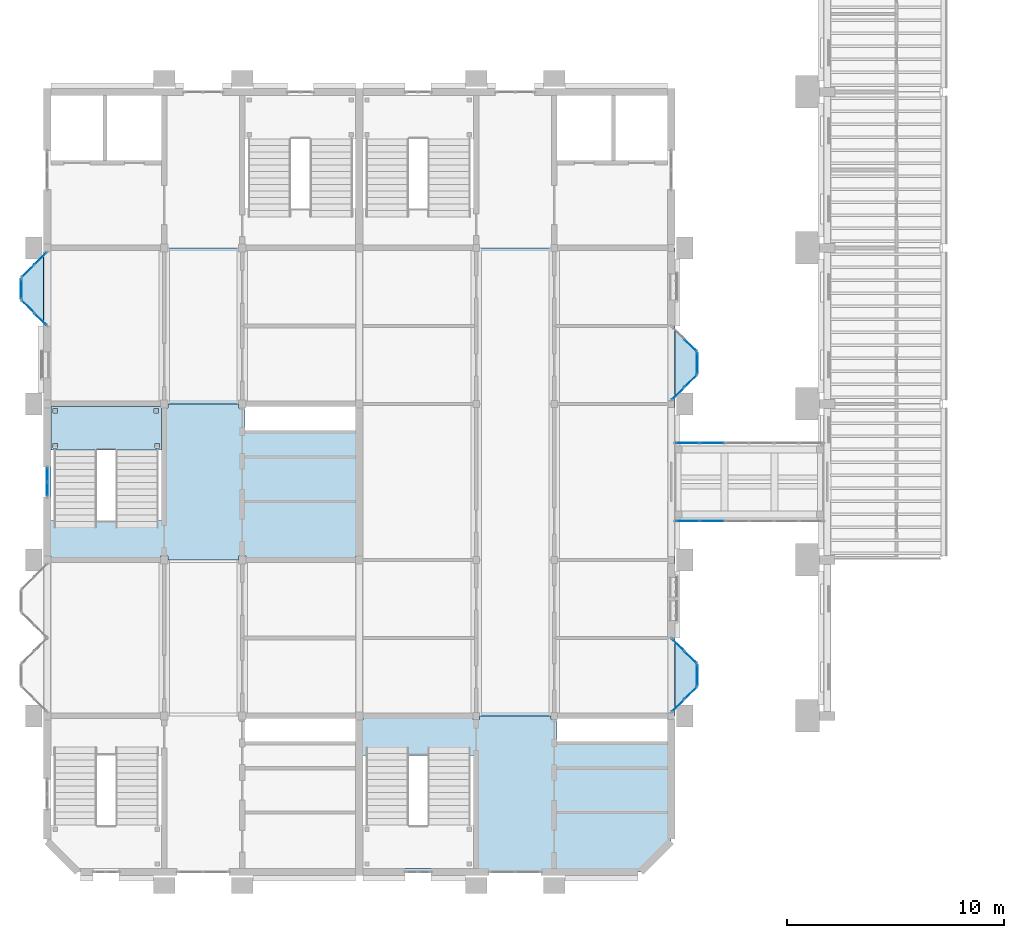
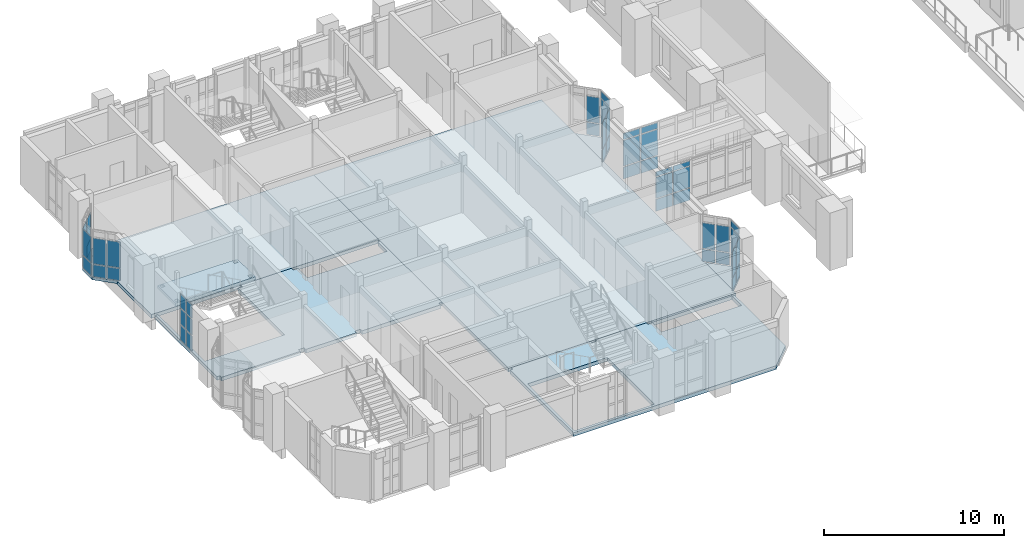
# One storey, part 27 of 69: 48 plates, 8 slabs, 13 elements without a shape of their own.
"""IFC4 building model written with IfcOpenShell, lengths in metres."""

from ifc_helpers import new_model, si_unit, direction, frame, origin, origin_2d, place, context, subcontext, project, spatial, polyline, rectangle, outline, extrude, material, layer, layer_set, type_object, element, aggregate, save


model = new_model("IFC4")

# Units and contexts
model_context = context("Model", 3, precision=1e-05, world=origin(), true_north=direction((0.0, 1.0)))
body_context = subcontext(model_context, "Body", "Model", "MODEL_VIEW")
ifc_project = project(units=[si_unit("LENGTHUNIT", "METRE"), si_unit("AREAUNIT", "SQUARE_METRE"), si_unit("VOLUMEUNIT", "CUBIC_METRE"), si_unit("PLANEANGLEUNIT", "RADIAN"), si_unit("MASSUNIT", "GRAM", prefix="KILO")], contexts=[model_context])

# Site, building, storey
site_placement = place(None, origin())
site = spatial("IfcSite", under=ifc_project, at=site_placement, CompositionType="ELEMENT")
building_placement = place(site_placement, origin())
building = spatial("IfcBuilding", under=site, at=building_placement, Name="Mazhai Court Health Centre", CompositionType="ELEMENT")
storey_placement = place(building_placement, frame((0.0, 0.0, 6.300048828125)))
storey = spatial("IfcBuildingStorey", under=building, at=storey_placement, Name="L01", CompositionType="ELEMENT", Elevation=6.300048828125)

# Curtain wall, plates
ifc_material_1 = material(Name="Teak timber frame, glazed", Category="wood")
ifc_layer_1 = layer(ifc_material_1, 0.10009765625)
ifc_layer_set_1 = layer_set([ifc_layer_1], Name="CURTAIN WALL TIMBER 600")
curtain_wall_type_1 = type_object("IfcCurtainWallType", Name="CURTAIN WALL TIMBER 600", PredefinedType="NOTDEFINED", material=ifc_layer_set_1)
curtain_wall_1_placement = place(storey_placement, origin())
curtain_wall_1 = element("IfcCurtainWall", 1, at=curtain_wall_1_placement, inside=storey, type_object=curtain_wall_type_1, Name="CW-V2-L01-A2", PredefinedType="NOTDEFINED")
ifc_material_2 = material(Name="Glass IGU 28 mm", Category="glass")
ifc_layer_2 = layer(ifc_material_2, 0.028076171875)
ifc_layer_set_2 = layer_set([ifc_layer_2], Name="CW PANEL IGU 28")
plate_type = type_object("IfcPlateType", Name="CW PANEL IGU 28", PredefinedType="CURTAIN_PANEL", material=ifc_layer_set_2)
plate_1_placement = place(storey_placement, frame((6.199951171875, 23.864990234375, 0.06005859375), z_axis=(0.0, 0.0, 1.0), x_axis=(0.0, 1.0, 0.0)))
plate_1 = element("IfcPlate", 2, at=plate_1_placement, type_object=plate_type, Name="CW panel 1.1", PredefinedType="CURTAIN_PANEL", context=body_context, shape_type="SweptSolid", body=[
    extrude(rectangle(XDim=0.610107421875, YDim=0.028076171875, at=origin_2d()), origin(), (0.0, 0.0, 1.0), 1.010009765625),
])
plate_2_placement = place(storey_placement, frame((6.199951171875, 23.864990234375, 1.1298828125), z_axis=(0.0, 0.0, 1.0), x_axis=(0.0, 1.0, 0.0)))
plate_2 = element("IfcPlate", 3, at=plate_2_placement, type_object=plate_type, Name="CW panel 1.2", PredefinedType="CURTAIN_PANEL", context=body_context, shape_type="SweptSolid", body=[
    extrude(rectangle(XDim=0.610107421875, YDim=0.028076171875, at=origin_2d()), origin(), (0.0, 0.0, 1.0), 1.06005859375),
])
plate_3_placement = place(storey_placement, frame((6.199951171875, 23.864990234375, 2.25), z_axis=(0.0, 0.0, 1.0), x_axis=(0.0, 1.0, 0.0)))
plate_3 = element("IfcPlate", 4, at=plate_3_placement, type_object=plate_type, Name="CW panel 1.3", PredefinedType="CURTAIN_PANEL", context=body_context, shape_type="SweptSolid", body=[
    extrude(rectangle(XDim=0.610107421875, YDim=0.028076171875, at=origin_2d()), origin(), (0.0, 0.0, 1.0), 0.909912109375),
])
plate_4_placement = place(storey_placement, frame((6.199951171875, 24.534912109375, 0.06005859375), z_axis=(0.0, 0.0, 1.0), x_axis=(0.0, 1.0, 0.0)))
plate_4 = element("IfcPlate", 5, at=plate_4_placement, type_object=plate_type, Name="CW panel 2.1", PredefinedType="CURTAIN_PANEL", context=body_context, shape_type="SweptSolid", body=[
    extrude(rectangle(XDim=0.610107421875, YDim=0.028076171875, at=origin_2d()), origin(), (0.0, 0.0, 1.0), 1.010009765625),
])
plate_5_placement = place(storey_placement, frame((6.199951171875, 24.534912109375, 1.1298828125), z_axis=(0.0, 0.0, 1.0), x_axis=(0.0, 1.0, 0.0)))
plate_5 = element("IfcPlate", 6, at=plate_5_placement, type_object=plate_type, Name="CW panel 2.2", PredefinedType="CURTAIN_PANEL", context=body_context, shape_type="SweptSolid", body=[
    extrude(rectangle(XDim=0.610107421875, YDim=0.028076171875, at=origin_2d()), origin(), (0.0, 0.0, 1.0), 1.06005859375),
])
plate_6_placement = place(storey_placement, frame((6.199951171875, 24.534912109375, 2.25), z_axis=(0.0, 0.0, 1.0), x_axis=(0.0, 1.0, 0.0)))
plate_6 = element("IfcPlate", 7, at=plate_6_placement, type_object=plate_type, Name="CW panel 2.3", PredefinedType="CURTAIN_PANEL", context=body_context, shape_type="SweptSolid", body=[
    extrude(rectangle(XDim=0.610107421875, YDim=0.028076171875, at=origin_2d()), origin(), (0.0, 0.0, 1.0), 0.909912109375),
])
aggregate(curtain_wall_1, [plate_1, plate_2, plate_3, plate_4, plate_5, plate_6])

ifc_material_3 = material(Name="Teak timber frame, glazed", Category="wood")
ifc_layer_3 = layer(ifc_material_3, 0.10009765625)
ifc_layer_set_3 = layer_set([ifc_layer_3], Name="CURTAIN WALL TIMBER 900")
curtain_wall_type_2 = type_object("IfcCurtainWallType", Name="CURTAIN WALL TIMBER 900", PredefinedType="NOTDEFINED", material=ifc_layer_set_3)
curtain_wall_2_placement = place(storey_placement, origin())
curtain_wall_2 = element("IfcCurtainWall", 8, at=curtain_wall_2_placement, inside=storey, type_object=curtain_wall_type_2, Name="CW-ORIEL-V2-L01-A31-0", PredefinedType="NOTDEFINED")
plate_7_placement = place(storey_placement, frame((5.889404296875, 31.710693359375, 0.059814453125), z_axis=(0.0, 0.0, 1.0), x_axis=(-0.707106781187, 0.707106781187, 0.0)))
plate_7 = element("IfcPlate", 9, at=plate_7_placement, type_object=plate_type, Name="CW panel 1.1", PredefinedType="CURTAIN_PANEL", context=body_context, shape_type="SweptSolid", body=[
    extrude(rectangle(XDim=0.758544921875, YDim=0.028076171875, at=origin_2d()), origin(), (0.0, 0.0, 1.0), 0.81005859375),
])
plate_8_placement = place(storey_placement, frame((5.889404296875, 31.710693359375, 0.93017578125), z_axis=(0.0, 0.0, 1.0), x_axis=(-0.707106781187, 0.707106781187, 0.0)))
plate_8 = element("IfcPlate", 10, at=plate_8_placement, type_object=plate_type, Name="CW panel 1.2", PredefinedType="CURTAIN_PANEL", context=body_context, shape_type="SweptSolid", body=[
    extrude(rectangle(XDim=0.758544921875, YDim=0.028076171875, at=origin_2d()), origin(), (0.0, 0.0, 1.0), 1.739990234375),
])
plate_9_placement = place(storey_placement, frame((5.310546875, 32.289306640625, 0.059814453125), z_axis=(0.0, 0.0, 1.0), x_axis=(-0.707106781187, 0.707106781187, 0.0)))
plate_9 = element("IfcPlate", 11, at=plate_9_placement, type_object=plate_type, Name="CW panel 2.1", PredefinedType="CURTAIN_PANEL", context=body_context, shape_type="SweptSolid", body=[
    extrude(rectangle(XDim=0.758544921875, YDim=0.028076171875, at=origin_2d()), origin(), (0.0, 0.0, 1.0), 0.81005859375),
])
plate_10_placement = place(storey_placement, frame((5.310546875, 32.289306640625, 0.93017578125), z_axis=(0.0, 0.0, 1.0), x_axis=(-0.707106781187, 0.707106781187, 0.0)))
plate_10 = element("IfcPlate", 12, at=plate_10_placement, type_object=plate_type, Name="CW panel 2.2", PredefinedType="CURTAIN_PANEL", context=body_context, shape_type="SweptSolid", body=[
    extrude(rectangle(XDim=0.758544921875, YDim=0.028076171875, at=origin_2d()), origin(), (0.0, 0.0, 1.0), 1.739990234375),
])
aggregate(curtain_wall_2, [plate_7, plate_8, plate_9, plate_10])

curtain_wall_3_placement = place(storey_placement, origin())
curtain_wall_3 = element("IfcCurtainWall", 13, at=curtain_wall_3_placement, inside=storey, type_object=curtain_wall_type_2, Name="CW-ORIEL-V2-L01-A31-1", PredefinedType="NOTDEFINED")
plate_11_placement = place(storey_placement, frame((5.0, 33.110107421875, 0.059814453125), z_axis=(0.0, 0.0, 1.0), x_axis=(0.0, 1.0, 0.0)))
plate_11 = element("IfcPlate", 14, at=plate_11_placement, type_object=plate_type, Name="CW panel 1.1", PredefinedType="CURTAIN_PANEL", context=body_context, shape_type="SweptSolid", body=[
    extrude(rectangle(XDim=0.89990234375, YDim=0.028076171875, at=origin_2d()), origin(), (0.0, 0.0, 1.0), 0.81005859375),
])
plate_12_placement = place(storey_placement, frame((5.0, 33.110107421875, 0.93017578125), z_axis=(0.0, 0.0, 1.0), x_axis=(0.0, 1.0, 0.0)))
plate_12 = element("IfcPlate", 15, at=plate_12_placement, type_object=plate_type, Name="CW panel 1.2", PredefinedType="CURTAIN_PANEL", context=body_context, shape_type="SweptSolid", body=[
    extrude(rectangle(XDim=0.89990234375, YDim=0.028076171875, at=origin_2d()), origin(), (0.0, 0.0, 1.0), 1.739990234375),
])
aggregate(curtain_wall_3, [plate_11, plate_12])

curtain_wall_4_placement = place(storey_placement, origin())
curtain_wall_4 = element("IfcCurtainWall", 16, at=curtain_wall_4_placement, inside=storey, type_object=curtain_wall_type_2, Name="CW-ORIEL-V2-L01-A31-2", PredefinedType="NOTDEFINED")
plate_13_placement = place(storey_placement, frame((5.310546875, 33.9306640625, 0.059814453125), z_axis=(0.0, 0.0, 1.0), x_axis=(0.707106781187, 0.707106781187, 0.0)))
plate_13 = element("IfcPlate", 17, at=plate_13_placement, type_object=plate_type, Name="CW panel 1.1", PredefinedType="CURTAIN_PANEL", context=body_context, shape_type="SweptSolid", body=[
    extrude(rectangle(XDim=0.758544921875, YDim=0.028076171875, at=origin_2d()), origin(), (0.0, 0.0, 1.0), 0.81005859375),
])
plate_14_placement = place(storey_placement, frame((5.310546875, 33.9306640625, 0.93017578125), z_axis=(0.0, 0.0, 1.0), x_axis=(0.707106781187, 0.707106781187, 0.0)))
plate_14 = element("IfcPlate", 18, at=plate_14_placement, type_object=plate_type, Name="CW panel 1.2", PredefinedType="CURTAIN_PANEL", context=body_context, shape_type="SweptSolid", body=[
    extrude(rectangle(XDim=0.758544921875, YDim=0.028076171875, at=origin_2d()), origin(), (0.0, 0.0, 1.0), 1.739990234375),
])
plate_15_placement = place(storey_placement, frame((5.889404296875, 34.50927734375, 0.059814453125), z_axis=(0.0, 0.0, 1.0), x_axis=(0.707106781187, 0.707106781187, 0.0)))
plate_15 = element("IfcPlate", 19, at=plate_15_placement, type_object=plate_type, Name="CW panel 2.1", PredefinedType="CURTAIN_PANEL", context=body_context, shape_type="SweptSolid", body=[
    extrude(rectangle(XDim=0.758544921875, YDim=0.028076171875, at=origin_2d()), origin(), (0.0, 0.0, 1.0), 0.81005859375),
])
plate_16_placement = place(storey_placement, frame((5.889404296875, 34.50927734375, 0.93017578125), z_axis=(0.0, 0.0, 1.0), x_axis=(0.707106781187, 0.707106781187, 0.0)))
plate_16 = element("IfcPlate", 20, at=plate_16_placement, type_object=plate_type, Name="CW panel 2.2", PredefinedType="CURTAIN_PANEL", context=body_context, shape_type="SweptSolid", body=[
    extrude(rectangle(XDim=0.758544921875, YDim=0.028076171875, at=origin_2d()), origin(), (0.0, 0.0, 1.0), 1.739990234375),
])
aggregate(curtain_wall_4, [plate_13, plate_14, plate_15, plate_16])

curtain_wall_5_placement = place(storey_placement, origin())
curtain_wall_5 = element("IfcCurtainWall", 21, at=curtain_wall_5_placement, inside=storey, type_object=curtain_wall_type_2, Name="CW-ORIEL-V5-L01-B10-0", PredefinedType="NOTDEFINED")
plate_17_placement = place(storey_placement, frame((35.310546875, 13.87060546875, 0.059814453125), z_axis=(0.0, 0.0, 1.0), x_axis=(0.707106781187, 0.707106781187, 0.0)))
plate_17 = element("IfcPlate", 22, at=plate_17_placement, type_object=plate_type, Name="CW panel 1.1", PredefinedType="CURTAIN_PANEL", context=body_context, shape_type="SweptSolid", body=[
    extrude(rectangle(XDim=0.758544921875, YDim=0.028076171875, at=origin_2d()), origin(), (0.0, 0.0, 1.0), 0.81005859375),
])
plate_18_placement = place(storey_placement, frame((35.310546875, 13.87060546875, 0.93017578125), z_axis=(0.0, 0.0, 1.0), x_axis=(0.707106781187, 0.707106781187, 0.0)))
plate_18 = element("IfcPlate", 23, at=plate_18_placement, type_object=plate_type, Name="CW panel 1.2", PredefinedType="CURTAIN_PANEL", context=body_context, shape_type="SweptSolid", body=[
    extrude(rectangle(XDim=0.758544921875, YDim=0.028076171875, at=origin_2d()), origin(), (0.0, 0.0, 1.0), 1.739990234375),
])
plate_19_placement = place(storey_placement, frame((35.889404296875, 14.449462890625, 0.059814453125), z_axis=(0.0, 0.0, 1.0), x_axis=(0.707106781187, 0.707106781187, 0.0)))
plate_19 = element("IfcPlate", 24, at=plate_19_placement, type_object=plate_type, Name="CW panel 2.1", PredefinedType="CURTAIN_PANEL", context=body_context, shape_type="SweptSolid", body=[
    extrude(rectangle(XDim=0.758544921875, YDim=0.028076171875, at=origin_2d()), origin(), (0.0, 0.0, 1.0), 0.81005859375),
])
plate_20_placement = place(storey_placement, frame((35.889404296875, 14.449462890625, 0.93017578125), z_axis=(0.0, 0.0, 1.0), x_axis=(0.707106781187, 0.707106781187, 0.0)))
plate_20 = element("IfcPlate", 25, at=plate_20_placement, type_object=plate_type, Name="CW panel 2.2", PredefinedType="CURTAIN_PANEL", context=body_context, shape_type="SweptSolid", body=[
    extrude(rectangle(XDim=0.758544921875, YDim=0.028076171875, at=origin_2d()), origin(), (0.0, 0.0, 1.0), 1.739990234375),
])
aggregate(curtain_wall_5, [plate_17, plate_18, plate_19, plate_20])

curtain_wall_6_placement = place(storey_placement, origin())
curtain_wall_6 = element("IfcCurtainWall", 26, at=curtain_wall_6_placement, inside=storey, type_object=curtain_wall_type_2, Name="CW-ORIEL-V5-L01-B10-1", PredefinedType="NOTDEFINED")
plate_21_placement = place(storey_placement, frame((36.199951171875, 15.280029296875, 0.059814453125), z_axis=(0.0, 0.0, 1.0), x_axis=(0.0, 1.0, 0.0)))
plate_21 = element("IfcPlate", 27, at=plate_21_placement, type_object=plate_type, Name="CW panel 1.1", PredefinedType="CURTAIN_PANEL", context=body_context, shape_type="SweptSolid", body=[
    extrude(rectangle(XDim=0.919921875, YDim=0.028076171875, at=origin_2d()), origin(), (0.0, 0.0, 1.0), 0.81005859375),
])
plate_22_placement = place(storey_placement, frame((36.199951171875, 15.280029296875, 0.93017578125), z_axis=(0.0, 0.0, 1.0), x_axis=(0.0, 1.0, 0.0)))
plate_22 = element("IfcPlate", 28, at=plate_22_placement, type_object=plate_type, Name="CW panel 1.2", PredefinedType="CURTAIN_PANEL", context=body_context, shape_type="SweptSolid", body=[
    extrude(rectangle(XDim=0.919921875, YDim=0.028076171875, at=origin_2d()), origin(), (0.0, 0.0, 1.0), 1.739990234375),
])
plate_23_placement = place(storey_placement, frame((36.199951171875, 15.280029296875, 2.72998046875), z_axis=(0.0, 0.0, 1.0), x_axis=(0.0, 1.0, 0.0)))
plate_23 = element("IfcPlate", 29, at=plate_23_placement, type_object=plate_type, Name="CW panel 1.3", PredefinedType="CURTAIN_PANEL", context=body_context, shape_type="SweptSolid", body=[
    extrude(rectangle(XDim=0.919921875, YDim=0.028076171875, at=origin_2d()), origin(), (0.0, 0.0, 1.0), 0.429931640625),
])
aggregate(curtain_wall_6, [plate_21, plate_22, plate_23])

curtain_wall_7_placement = place(storey_placement, origin())
curtain_wall_7 = element("IfcCurtainWall", 30, at=curtain_wall_7_placement, inside=storey, type_object=curtain_wall_type_2, Name="CW-ORIEL-V5-L01-B10-2", PredefinedType="NOTDEFINED")
plate_24_placement = place(storey_placement, frame((35.889404296875, 16.110595703125, 0.059814453125), z_axis=(0.0, 0.0, 1.0), x_axis=(-0.707106781187, 0.707106781187, 0.0)))
plate_24 = element("IfcPlate", 31, at=plate_24_placement, type_object=plate_type, Name="CW panel 1.1", PredefinedType="CURTAIN_PANEL", context=body_context, shape_type="SweptSolid", body=[
    extrude(rectangle(XDim=0.758544921875, YDim=0.028076171875, at=origin_2d()), origin(), (0.0, 0.0, 1.0), 0.81005859375),
])
plate_25_placement = place(storey_placement, frame((35.889404296875, 16.110595703125, 0.93017578125), z_axis=(0.0, 0.0, 1.0), x_axis=(-0.707106781187, 0.707106781187, 0.0)))
plate_25 = element("IfcPlate", 32, at=plate_25_placement, type_object=plate_type, Name="CW panel 1.2", PredefinedType="CURTAIN_PANEL", context=body_context, shape_type="SweptSolid", body=[
    extrude(rectangle(XDim=0.758544921875, YDim=0.028076171875, at=origin_2d()), origin(), (0.0, 0.0, 1.0), 1.739990234375),
])
plate_26_placement = place(storey_placement, frame((35.310546875, 16.689453125, 0.059814453125), z_axis=(0.0, 0.0, 1.0), x_axis=(-0.707106781187, 0.707106781187, 0.0)))
plate_26 = element("IfcPlate", 33, at=plate_26_placement, type_object=plate_type, Name="CW panel 2.1", PredefinedType="CURTAIN_PANEL", context=body_context, shape_type="SweptSolid", body=[
    extrude(rectangle(XDim=0.758544921875, YDim=0.028076171875, at=origin_2d()), origin(), (0.0, 0.0, 1.0), 0.81005859375),
])
plate_27_placement = place(storey_placement, frame((35.310546875, 16.689453125, 0.93017578125), z_axis=(0.0, 0.0, 1.0), x_axis=(-0.707106781187, 0.707106781187, 0.0)))
plate_27 = element("IfcPlate", 34, at=plate_27_placement, type_object=plate_type, Name="CW panel 2.2", PredefinedType="CURTAIN_PANEL", context=body_context, shape_type="SweptSolid", body=[
    extrude(rectangle(XDim=0.758544921875, YDim=0.028076171875, at=origin_2d()), origin(), (0.0, 0.0, 1.0), 1.739990234375),
])
aggregate(curtain_wall_7, [plate_24, plate_25, plate_26, plate_27])

curtain_wall_8_placement = place(storey_placement, origin())
curtain_wall_8 = element("IfcCurtainWall", 35, at=curtain_wall_8_placement, inside=storey, type_object=curtain_wall_type_2, Name="CW-ORIEL-V5-L01-B30-0", PredefinedType="NOTDEFINED")
plate_28_placement = place(storey_placement, frame((35.310546875, 28.2705078125, 0.059814453125), z_axis=(0.0, 0.0, 1.0), x_axis=(0.707106781187, 0.707106781187, 0.0)))
plate_28 = element("IfcPlate", 36, at=plate_28_placement, type_object=plate_type, Name="CW panel 1.1", PredefinedType="CURTAIN_PANEL", context=body_context, shape_type="SweptSolid", body=[
    extrude(rectangle(XDim=0.758544921875, YDim=0.028076171875, at=origin_2d()), origin(), (0.0, 0.0, 1.0), 0.81005859375),
])
plate_29_placement = place(storey_placement, frame((35.310546875, 28.2705078125, 0.93017578125), z_axis=(0.0, 0.0, 1.0), x_axis=(0.707106781187, 0.707106781187, 0.0)))
plate_29 = element("IfcPlate", 37, at=plate_29_placement, type_object=plate_type, Name="CW panel 1.2", PredefinedType="CURTAIN_PANEL", context=body_context, shape_type="SweptSolid", body=[
    extrude(rectangle(XDim=0.758544921875, YDim=0.028076171875, at=origin_2d()), origin(), (0.0, 0.0, 1.0), 1.739990234375),
])
plate_30_placement = place(storey_placement, frame((35.889404296875, 28.849365234375, 0.059814453125), z_axis=(0.0, 0.0, 1.0), x_axis=(0.707106781187, 0.707106781187, 0.0)))
plate_30 = element("IfcPlate", 38, at=plate_30_placement, type_object=plate_type, Name="CW panel 2.1", PredefinedType="CURTAIN_PANEL", context=body_context, shape_type="SweptSolid", body=[
    extrude(rectangle(XDim=0.758544921875, YDim=0.028076171875, at=origin_2d()), origin(), (0.0, 0.0, 1.0), 0.81005859375),
])
plate_31_placement = place(storey_placement, frame((35.889404296875, 28.849365234375, 0.93017578125), z_axis=(0.0, 0.0, 1.0), x_axis=(0.707106781187, 0.707106781187, 0.0)))
plate_31 = element("IfcPlate", 39, at=plate_31_placement, type_object=plate_type, Name="CW panel 2.2", PredefinedType="CURTAIN_PANEL", context=body_context, shape_type="SweptSolid", body=[
    extrude(rectangle(XDim=0.758544921875, YDim=0.028076171875, at=origin_2d()), origin(), (0.0, 0.0, 1.0), 1.739990234375),
])
aggregate(curtain_wall_8, [plate_28, plate_29, plate_30, plate_31])

curtain_wall_9_placement = place(storey_placement, origin())
curtain_wall_9 = element("IfcCurtainWall", 40, at=curtain_wall_9_placement, inside=storey, type_object=curtain_wall_type_2, Name="CW-ORIEL-V5-L01-B30-1", PredefinedType="NOTDEFINED")
plate_32_placement = place(storey_placement, frame((36.199951171875, 29.679931640625, 0.059814453125), z_axis=(0.0, 0.0, 1.0), x_axis=(0.0, 1.0, 0.0)))
plate_32 = element("IfcPlate", 41, at=plate_32_placement, type_object=plate_type, Name="CW panel 1.1", PredefinedType="CURTAIN_PANEL", context=body_context, shape_type="SweptSolid", body=[
    extrude(rectangle(XDim=0.919921875, YDim=0.028076171875, at=origin_2d()), origin(), (0.0, 0.0, 1.0), 0.81005859375),
])
plate_33_placement = place(storey_placement, frame((36.199951171875, 29.679931640625, 0.93017578125), z_axis=(0.0, 0.0, 1.0), x_axis=(0.0, 1.0, 0.0)))
plate_33 = element("IfcPlate", 42, at=plate_33_placement, type_object=plate_type, Name="CW panel 1.2", PredefinedType="CURTAIN_PANEL", context=body_context, shape_type="SweptSolid", body=[
    extrude(rectangle(XDim=0.919921875, YDim=0.028076171875, at=origin_2d()), origin(), (0.0, 0.0, 1.0), 1.739990234375),
])
plate_34_placement = place(storey_placement, frame((36.199951171875, 29.679931640625, 2.72998046875), z_axis=(0.0, 0.0, 1.0), x_axis=(0.0, 1.0, 0.0)))
plate_34 = element("IfcPlate", 43, at=plate_34_placement, type_object=plate_type, Name="CW panel 1.3", PredefinedType="CURTAIN_PANEL", context=body_context, shape_type="SweptSolid", body=[
    extrude(rectangle(XDim=0.919921875, YDim=0.028076171875, at=origin_2d()), origin(), (0.0, 0.0, 1.0), 0.429931640625),
])
aggregate(curtain_wall_9, [plate_32, plate_33, plate_34])

curtain_wall_10_placement = place(storey_placement, origin())
curtain_wall_10 = element("IfcCurtainWall", 44, at=curtain_wall_10_placement, inside=storey, type_object=curtain_wall_type_2, Name="CW-ORIEL-V5-L01-B30-2", PredefinedType="NOTDEFINED")
plate_35_placement = place(storey_placement, frame((35.889404296875, 30.510498046875, 0.059814453125), z_axis=(0.0, 0.0, 1.0), x_axis=(-0.707106781187, 0.707106781187, 0.0)))
plate_35 = element("IfcPlate", 45, at=plate_35_placement, type_object=plate_type, Name="CW panel 1.1", PredefinedType="CURTAIN_PANEL", context=body_context, shape_type="SweptSolid", body=[
    extrude(rectangle(XDim=0.758544921875, YDim=0.028076171875, at=origin_2d()), origin(), (0.0, 0.0, 1.0), 0.81005859375),
])
plate_36_placement = place(storey_placement, frame((35.889404296875, 30.510498046875, 0.93017578125), z_axis=(0.0, 0.0, 1.0), x_axis=(-0.707106781187, 0.707106781187, 0.0)))
plate_36 = element("IfcPlate", 46, at=plate_36_placement, type_object=plate_type, Name="CW panel 1.2", PredefinedType="CURTAIN_PANEL", context=body_context, shape_type="SweptSolid", body=[
    extrude(rectangle(XDim=0.758544921875, YDim=0.028076171875, at=origin_2d()), origin(), (0.0, 0.0, 1.0), 1.739990234375),
])
aggregate(curtain_wall_10, [plate_35, plate_36])

ifc_material_4 = material(Name="Teak timber frame, glazed", Category="wood")
ifc_layer_4 = layer(ifc_material_4, 0.10009765625)
ifc_layer_set_4 = layer_set([ifc_layer_4], Name="CURTAIN WALL TIMBER 1200")
curtain_wall_type_3 = type_object("IfcCurtainWallType", Name="CURTAIN WALL TIMBER 1200", PredefinedType="NOTDEFINED", material=ifc_layer_set_4)
curtain_wall_11_placement = place(storey_placement, origin())
curtain_wall_11 = element("IfcCurtainWall", 47, at=curtain_wall_11_placement, inside=storey, type_object=curtain_wall_type_3, Name="CW-BR-P1-S", PredefinedType="NOTDEFINED")
plate_37_placement = place(storey_placement, frame((35.75244140625, 22.39990234375, 0.059814453125), z_axis=(0.0, 0.0, 1.0), x_axis=(1.0, 0.0, 0.0)))
plate_37 = element("IfcPlate", 48, at=plate_37_placement, type_object=plate_type, Name="CW panel 1.1", PredefinedType="CURTAIN_PANEL", context=body_context, shape_type="SweptSolid", body=[
    extrude(rectangle(XDim=1.054931640625, YDim=0.028076171875, at=origin_2d()), origin(), (0.0, 0.0, 1.0), 0.81005859375),
])
plate_38_placement = place(storey_placement, frame((35.75244140625, 22.39990234375, 0.929931640625), z_axis=(0.0, 0.0, 1.0), x_axis=(1.0, 0.0, 0.0)))
plate_38 = element("IfcPlate", 49, at=plate_38_placement, type_object=plate_type, Name="CW panel 1.2", PredefinedType="CURTAIN_PANEL", context=body_context, shape_type="SweptSolid", body=[
    extrude(rectangle(XDim=1.054931640625, YDim=0.028076171875, at=origin_2d()), origin(), (0.0, 0.0, 1.0), 1.419921875),
])
plate_39_placement = place(storey_placement, frame((35.75244140625, 22.39990234375, 2.409912109375), z_axis=(0.0, 0.0, 1.0), x_axis=(1.0, 0.0, 0.0)))
plate_39 = element("IfcPlate", 50, at=plate_39_placement, type_object=plate_type, Name="CW panel 1.3", PredefinedType="CURTAIN_PANEL", context=body_context, shape_type="SweptSolid", body=[
    extrude(rectangle(XDim=1.054931640625, YDim=0.028076171875, at=origin_2d()), origin(), (0.0, 0.0, 1.0), 0.31005859375),
])
plate_40_placement = place(storey_placement, frame((36.882568359375, 22.39990234375, 0.059814453125), z_axis=(0.0, 0.0, 1.0), x_axis=(1.0, 0.0, 0.0)))
plate_40 = element("IfcPlate", 51, at=plate_40_placement, type_object=plate_type, Name="CW panel 2.1", PredefinedType="CURTAIN_PANEL", context=body_context, shape_type="SweptSolid", body=[
    extrude(rectangle(XDim=1.0849609375, YDim=0.028076171875, at=origin_2d()), origin(), (0.0, 0.0, 1.0), 0.81005859375),
])
plate_41_placement = place(storey_placement, frame((36.882568359375, 22.39990234375, 0.929931640625), z_axis=(0.0, 0.0, 1.0), x_axis=(1.0, 0.0, 0.0)))
plate_41 = element("IfcPlate", 52, at=plate_41_placement, type_object=plate_type, Name="CW panel 2.2", PredefinedType="CURTAIN_PANEL", context=body_context, shape_type="SweptSolid", body=[
    extrude(rectangle(XDim=1.0849609375, YDim=0.028076171875, at=origin_2d()), origin(), (0.0, 0.0, 1.0), 1.419921875),
])
plate_42_placement = place(storey_placement, frame((36.882568359375, 22.39990234375, 2.409912109375), z_axis=(0.0, 0.0, 1.0), x_axis=(1.0, 0.0, 0.0)))
plate_42 = element("IfcPlate", 53, at=plate_42_placement, type_object=plate_type, Name="CW panel 2.3", PredefinedType="CURTAIN_PANEL", context=body_context, shape_type="SweptSolid", body=[
    extrude(rectangle(XDim=1.0849609375, YDim=0.028076171875, at=origin_2d()), origin(), (0.0, 0.0, 1.0), 0.31005859375),
])
aggregate(curtain_wall_11, [plate_37, plate_38, plate_39, plate_40, plate_41, plate_42])

curtain_wall_12_placement = place(storey_placement, origin())
curtain_wall_12 = element("IfcCurtainWall", 54, at=curtain_wall_12_placement, inside=storey, type_object=curtain_wall_type_3, Name="CW-BR-P1-N", PredefinedType="NOTDEFINED")
plate_43_placement = place(storey_placement, frame((35.75244140625, 26.0, 0.059814453125), z_axis=(0.0, 0.0, 1.0), x_axis=(1.0, 0.0, 0.0)))
plate_43 = element("IfcPlate", 55, at=plate_43_placement, type_object=plate_type, Name="CW panel 1.1", PredefinedType="CURTAIN_PANEL", context=body_context, shape_type="SweptSolid", body=[
    extrude(rectangle(XDim=1.054931640625, YDim=0.028076171875, at=origin_2d()), origin(), (0.0, 0.0, 1.0), 0.81005859375),
])
plate_44_placement = place(storey_placement, frame((35.75244140625, 26.0, 0.93017578125), z_axis=(0.0, 0.0, 1.0), x_axis=(1.0, 0.0, 0.0)))
plate_44 = element("IfcPlate", 56, at=plate_44_placement, type_object=plate_type, Name="CW panel 1.2", PredefinedType="CURTAIN_PANEL", context=body_context, shape_type="SweptSolid", body=[
    extrude(rectangle(XDim=1.054931640625, YDim=0.028076171875, at=origin_2d()), origin(), (0.0, 0.0, 1.0), 1.739990234375),
])
plate_45_placement = place(storey_placement, frame((35.75244140625, 26.0, 2.72998046875), z_axis=(0.0, 0.0, 1.0), x_axis=(1.0, 0.0, 0.0)))
plate_45 = element("IfcPlate", 57, at=plate_45_placement, type_object=plate_type, Name="CW panel 1.3", PredefinedType="CURTAIN_PANEL", context=body_context, shape_type="SweptSolid", body=[
    extrude(rectangle(XDim=1.054931640625, YDim=0.028076171875, at=origin_2d()), origin(), (0.0, 0.0, 1.0), 0.409912109375),
])
plate_46_placement = place(storey_placement, frame((36.882568359375, 26.0, 0.059814453125), z_axis=(0.0, 0.0, 1.0), x_axis=(1.0, 0.0, 0.0)))
plate_46 = element("IfcPlate", 58, at=plate_46_placement, type_object=plate_type, Name="CW panel 2.1", PredefinedType="CURTAIN_PANEL", context=body_context, shape_type="SweptSolid", body=[
    extrude(rectangle(XDim=1.0849609375, YDim=0.028076171875, at=origin_2d()), origin(), (0.0, 0.0, 1.0), 0.81005859375),
])
plate_47_placement = place(storey_placement, frame((36.882568359375, 26.0, 0.93017578125), z_axis=(0.0, 0.0, 1.0), x_axis=(1.0, 0.0, 0.0)))
plate_47 = element("IfcPlate", 59, at=plate_47_placement, type_object=plate_type, Name="CW panel 2.2", PredefinedType="CURTAIN_PANEL", context=body_context, shape_type="SweptSolid", body=[
    extrude(rectangle(XDim=1.0849609375, YDim=0.028076171875, at=origin_2d()), origin(), (0.0, 0.0, 1.0), 1.739990234375),
])
plate_48_placement = place(storey_placement, frame((36.882568359375, 26.0, 2.72998046875), z_axis=(0.0, 0.0, 1.0), x_axis=(1.0, 0.0, 0.0)))
plate_48 = element("IfcPlate", 60, at=plate_48_placement, type_object=plate_type, Name="CW panel 2.3", PredefinedType="CURTAIN_PANEL", context=body_context, shape_type="SweptSolid", body=[
    extrude(rectangle(XDim=1.0849609375, YDim=0.028076171875, at=origin_2d()), origin(), (0.0, 0.0, 1.0), 0.409912109375),
])
aggregate(curtain_wall_12, [plate_43, plate_44, plate_45, plate_46, plate_47, plate_48])

# Slabs
ifc_material_5 = material(Name="CLT C24 5-ply", Category="wood")
ifc_layer_5 = layer(ifc_material_5, 0.179931640625)
ifc_layer_set_5 = layer_set([ifc_layer_5], Name="ORIEL FLOOR 180")
slab_type_1 = type_object("IfcSlabType", Name="ORIEL FLOOR 180", PredefinedType="FLOOR", material=ifc_layer_set_5)
slab_1_placement = place(storey_placement, frame((0.0, 0.0, -0.179931640625)))
element("IfcSlab", 61, at=slab_1_placement, inside=storey, type_object=slab_type_1, Name="OF-V2-L01-A31", PredefinedType="FLOOR", context=body_context, shape_type="SweptSolid", body=[
    extrude(outline(polyline([(5.0, 32.60009765625), (5.0, 33.6201171875), (6.034912109375, 34.655029296875), (6.034912109375, 31.56494140625), (5.0, 32.60009765625)])), origin(), (0.0, 0.0, 1.0), 0.179931640625),
])
slab_2_placement = place(storey_placement, frame((0.0, 0.0, -0.179931640625)))
element("IfcSlab", 62, at=slab_2_placement, inside=storey, type_object=slab_type_1, Name="OF-V5-L01-B10", PredefinedType="FLOOR", context=body_context, shape_type="SweptSolid", body=[
    extrude(outline(polyline([(36.199951171875, 15.800048828125), (36.199951171875, 14.760009765625), (35.1650390625, 13.72509765625), (35.1650390625, 16.8349609375), (36.199951171875, 15.800048828125)])), origin(), (0.0, 0.0, 1.0), 0.179931640625),
])
slab_3_placement = place(storey_placement, frame((0.0, 0.0, -0.179931640625)))
element("IfcSlab", 63, at=slab_3_placement, inside=storey, type_object=slab_type_1, Name="OF-V5-L01-B30", PredefinedType="FLOOR", context=body_context, shape_type="SweptSolid", body=[
    extrude(outline(polyline([(36.199951171875, 30.199951171875), (36.199951171875, 29.159912109375), (35.1650390625, 28.125), (35.1650390625, 31.235107421875), (36.199951171875, 30.199951171875)])), origin(), (0.0, 0.0, 1.0), 0.179931640625),
])
ifc_material_6 = material(Name="Concrete M40", Category="concrete")
ifc_layer_6 = layer(ifc_material_6, 0.25)
ifc_layer_set_6 = layer_set([ifc_layer_6], Name="PODIUM SLAB 250 M40")
slab_type_2 = type_object("IfcSlabType", Name="PODIUM SLAB 250 M40", PredefinedType="FLOOR", material=ifc_layer_set_6)
slab_4_placement = place(storey_placement, frame((0.0, 0.0, -0.25)))
element("IfcSlab", 64, at=slab_4_placement, inside=storey, type_object=slab_type_2, Name="slab-podium-V2-2", PredefinedType="FLOOR", context=body_context, shape_type="SweptSolid", body=[
    extrude(outline(polyline([(20.60009765625, 27.800048828125), (20.60009765625, 35.0), (6.034912109375, 35.0), (6.034912109375, 27.800048828125), (20.60009765625, 27.800048828125)])), origin(), (0.0, 0.0, 1.0), 0.25),
])
slab_5_placement = place(storey_placement, frame((0.0, 0.0, -0.25)))
element("IfcSlab", 65, at=slab_5_placement, inside=storey, type_object=slab_type_2, Name="slab-podium-V5-1", PredefinedType="FLOOR", context=body_context, shape_type="SweptSolid", body=[
    extrude(outline(polyline([(35.1650390625, 13.39990234375), (35.1650390625, 35.0), (20.60009765625, 35.0), (20.60009765625, 13.39990234375), (35.1650390625, 13.39990234375)])), origin(), (0.0, 0.0, 1.0), 0.25),
])
ifc_material_7 = material(Name="Concrete M40", Category="concrete")
ifc_layer_7 = layer(ifc_material_7, 0.25)
ifc_layer_set_7 = layer_set([ifc_layer_7], Name="RC CORE FLOOR 250 M40")
slab_type_3 = type_object("IfcSlabType", Name="RC CORE FLOOR 250 M40", PredefinedType="FLOOR", material=ifc_layer_set_7)
slab_6_placement = place(storey_placement, frame((0.0, 0.0, -0.25)))
element("IfcSlab", 66, at=slab_6_placement, inside=storey, type_object=slab_type_3, Name="core-C2-floor-L01", PredefinedType="FLOOR", context=body_context, shape_type="SweptSolid", body=[
    extrude(outline(polyline([(6.364990234375, 27.6201171875), (6.364990234375, 22.426513671875), (11.47509765625, 22.426513671875), (11.47509765625, 27.6201171875), (11.780029296875, 27.6201171875), (11.780029296875, 27.800048828125), (15.02001953125, 27.800048828125), (15.02001953125, 27.6201171875), (15.324951171875, 27.6201171875), (15.324951171875, 26.574951171875), (20.43505859375, 26.574951171875), (20.43505859375, 27.6201171875), (20.60009765625, 27.6201171875), (20.60009765625, 20.780029296875), (20.419921875, 20.780029296875), (20.419921875, 20.60009765625), (15.3798828125, 20.60009765625), (15.3798828125, 20.780029296875), (15.02001953125, 20.780029296875), (15.02001953125, 20.60009765625), (11.780029296875, 20.60009765625), (11.780029296875, 20.780029296875), (11.419921875, 20.780029296875), (11.419921875, 20.60009765625), (6.3798828125, 20.60009765625), (6.3798828125, 20.780029296875), (6.199951171875, 20.780029296875), (6.199951171875, 27.6201171875), (6.364990234375, 27.6201171875)])), origin(), (0.0, 0.0, 1.0), 0.25),
])
slab_7_placement = place(storey_placement, frame((0.0, 0.0, -0.25)))
element("IfcSlab", 67, at=slab_7_placement, inside=storey, type_object=slab_type_3, Name="core-C4-floor-L01", PredefinedType="FLOOR", context=body_context, shape_type="SweptSolid", body=[
    extrude(outline(polyline([(20.780029296875, 13.39990234375), (25.840087890625, 13.39990234375), (25.840087890625, 13.239990234375), (26.159912109375, 13.239990234375), (26.159912109375, 13.39990234375), (29.43994140625, 13.39990234375), (29.43994140625, 13.239990234375), (29.72509765625, 13.239990234375), (29.72509765625, 12.215087890625), (34.8349609375, 12.215087890625), (34.8349609375, 13.27490234375), (29.760009765625, 13.27490234375), (29.760009765625, 13.39990234375), (34.840087890625, 13.39990234375), (34.840087890625, 13.239990234375), (35.0, 13.239990234375), (35.0, 7.6142578125), (33.585693359375, 6.199951171875), (20.60009765625, 6.199951171875), (20.60009765625, 13.219970703125), (20.780029296875, 13.219970703125), (20.780029296875, 13.39990234375)]), holes=[polyline([(25.875, 11.573486328125), (20.764892578125, 11.573486328125), (20.764892578125, 6.364990234375), (25.875, 6.364990234375), (25.875, 11.573486328125)])]), origin(), (0.0, 0.0, 1.0), 0.25),
])

# Stair, slab
ifc_material_8 = material(Name="Concrete M40", Category="concrete")
stair_type = type_object("IfcStairType", Name="RC STAIR 2000 26R", PredefinedType="DOUBLE_RETURN_STAIR", material=ifc_material_8)
stair_placement = place(storey_placement, origin())
stair = element("IfcStair", 68, at=stair_placement, inside=storey, type_object=stair_type, Name="L01 Stair 2", PredefinedType="HALF_TURN_STAIR")
ifc_material_9 = material(Name="Concrete M40", Category="concrete")
ifc_layer_8 = layer(ifc_material_9, 0.199951171875)
ifc_layer_set_8 = layer_set([ifc_layer_8], Name="RC STAIR LANDING 200 M40")
slab_type_4 = type_object("IfcSlabType", Name="RC STAIR LANDING 200 M40", PredefinedType="LANDING", material=ifc_layer_set_8)
slab_8_placement = place(storey_placement, frame((0.0, 0.0, 1.75)))
slab_8 = element("IfcSlab", 69, at=slab_8_placement, type_object=slab_type_4, Name="ST2 landing 1", PredefinedType="LANDING", context=body_context, shape_type="SweptSolid", body=[
    extrude(outline(polyline([(11.47509765625, 25.675048828125), (11.47509765625, 27.675048828125), (6.364990234375, 27.675048828125), (6.364990234375, 25.675048828125), (11.47509765625, 25.675048828125)]), holes=[polyline([(6.465087890625, 27.375), (6.675048828125, 27.375), (6.675048828125, 27.5849609375), (6.465087890625, 27.5849609375), (6.465087890625, 27.375)]), polyline([(11.125, 27.375), (11.3349609375, 27.375), (11.3349609375, 27.5849609375), (11.125, 27.5849609375), (11.125, 27.375)]), polyline([(6.465087890625, 25.77490234375), (6.675048828125, 25.77490234375), (6.675048828125, 25.985107421875), (6.465087890625, 25.985107421875), (6.465087890625, 25.77490234375)]), polyline([(11.175048828125, 25.77490234375), (11.385009765625, 25.77490234375), (11.385009765625, 25.985107421875), (11.175048828125, 25.985107421875), (11.175048828125, 25.77490234375)])]), origin(), (0.0, 0.0, 1.0), 0.199951171875),
])
aggregate(stair, [slab_8])

save(model, "model.ifc")
